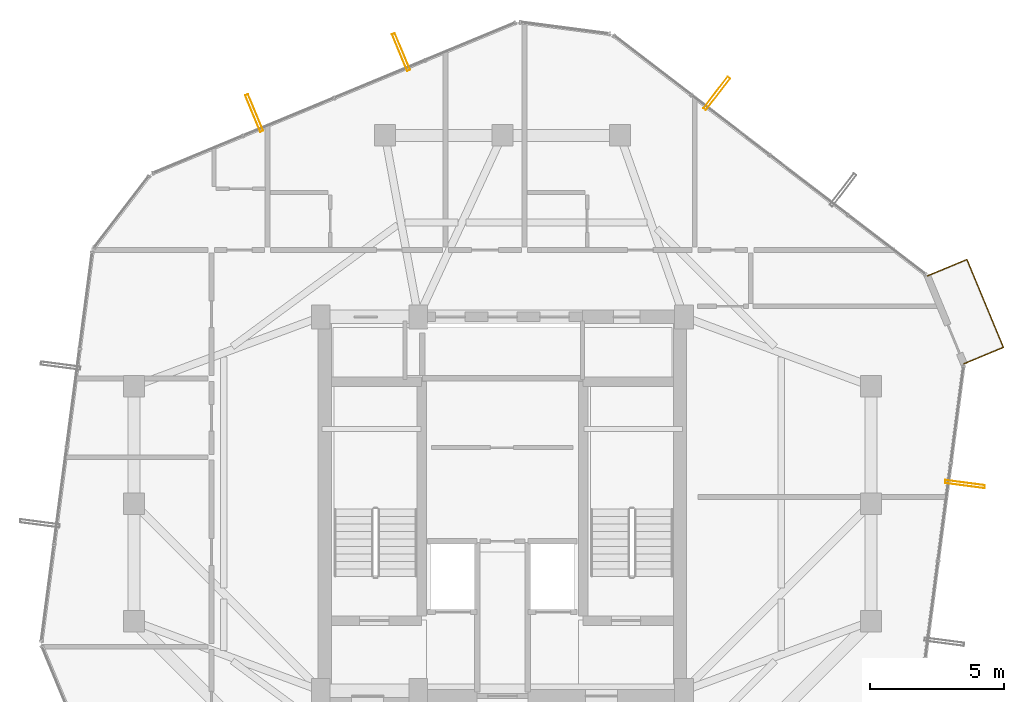
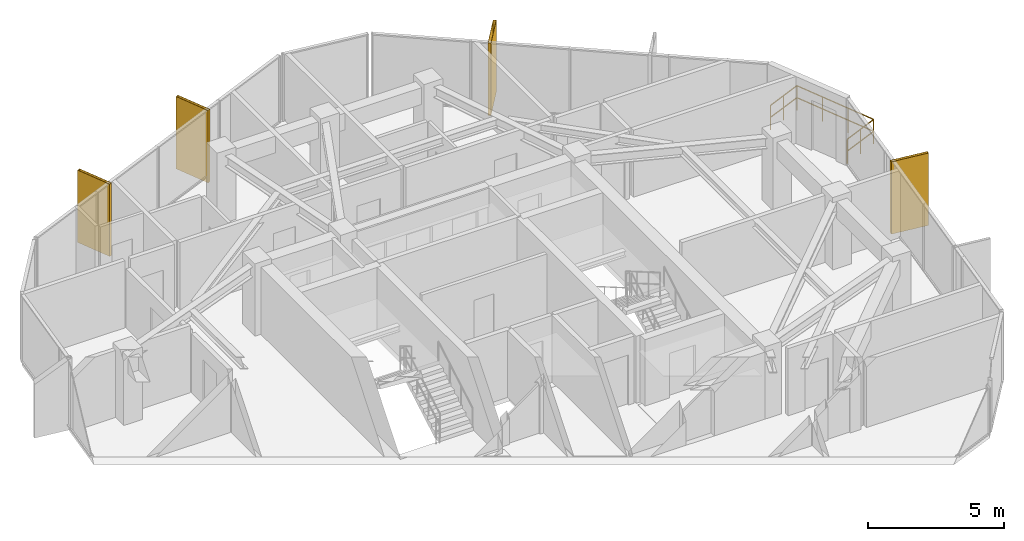
# One storey, part 31 of 31: 4 shading devices, 1 railing.
"""IFC4 building model written with IfcOpenShell, lengths in metres."""

from ifc_helpers import new_model, si_unit, direction, frame, origin, origin_2d, place, context, subcontext, project, spatial, hollow_rectangle, circle, extrude, material, material_profile, profile_set, type_object, element, save


model = new_model("IFC4")

# Units and contexts
model_context = context("Model", 3, precision=1e-05, world=origin(), true_north=direction((0.0, 1.0)))
body_context = subcontext(model_context, "Body", "Model", "MODEL_VIEW")
ifc_project = project(units=[si_unit("LENGTHUNIT", "METRE"), si_unit("AREAUNIT", "SQUARE_METRE"), si_unit("VOLUMEUNIT", "CUBIC_METRE"), si_unit("PLANEANGLEUNIT", "RADIAN"), si_unit("MASSUNIT", "GRAM", prefix="KILO")], contexts=[model_context])

# Site, building, storey
site_placement = place(None, origin())
site = spatial("IfcSite", under=ifc_project, at=site_placement, CompositionType="ELEMENT")
building_placement = place(site_placement, origin())
building = spatial("IfcBuilding", under=site, at=building_placement, Name="Veraguas Prism Commons", CompositionType="ELEMENT")
storey_placement = place(building_placement, frame((0.0, 0.0, 233.300048828125)))
storey = spatial("IfcBuildingStorey", under=building, at=storey_placement, Name="L66", CompositionType="ELEMENT", Elevation=233.300048828125)

# Shading devices
ifc_material_1 = material(Name="Anodised aluminium EN AW-6063 T6", Category="aluminium")
ifc_material_profile = material_profile(ifc_material_1, hollow_rectangle(XDim=0.1201171875, YDim=1.489990234375, WallThickness=0.006103515625, at=origin_2d()), Name="FIN120X1490X6")
ifc_profile_set = profile_set([ifc_material_profile], Name="Anodised aluminium EN AW-6063 T6")
shading_device_type = type_object("IfcShadingDeviceType", Name="Deep Pale-Metal Vertical Solar Fin 120x1490", PredefinedType="USERDEFINED", material=ifc_profile_set)
for number, where, z_axis, x_axis, name in (
    (1, (32.024658203125, 39.3681640625, -0.215087890625), (0.0, 0.0, 1.0), (-0.793779204094, 0.60820603018, 0.0), "Vertical Pale-Metal Solar Fin L66-F1B"),
    (2, (20.202880859375, 40.916015625, -0.215087890625), (0.0, 0.0, 1.0), (-0.923614151043, -0.383323492617, 0.0), "Vertical Pale-Metal Solar Fin L66-F2A"),
    (3, (14.703125, 38.633544921875, -0.215087890625), (0.0, 0.0, 1.0), (-0.923614151043, -0.383323492617, 0.0), "Vertical Pale-Metal Solar Fin L66-F2B"),
    (4, (41.321533203125, 24.734619140625, -0.215087890625), (0.0, 0.0, 1.0), (0.129837462492, 0.991535291018, 0.0), "Vertical Pale-Metal Solar Fin L66-F6B"),
):
    element("IfcShadingDevice", number, at=place(storey_placement, frame(where, z_axis=z_axis, x_axis=x_axis)), inside=storey, type_object=shading_device_type, Name=name, ObjectType="FIN", PredefinedType="USERDEFINED", context=body_context, shape_type="SweptSolid", body=[
        extrude(hollow_rectangle(XDim=0.1201171875, YDim=1.489990234375, WallThickness=0.006103515625, at=origin_2d()), origin(), (0.0, 0.0, 1.0), 3.25),
    ])

# Railing
ifc_material_2 = material(Name="Stainless steel AISI 316", Category="steel")
railing_type = type_object("IfcRailingType", Name="Loggia and Sky Pool Glazed Balustrade 1120", PredefinedType="BALUSTRADE", material=ifc_material_2)
railing_placement = place(storey_placement, frame((41.281494140625, 29.243896484375, 0.0)))
element("IfcRailing", 5, at=railing_placement, inside=storey, type_object=railing_type, Name="Recessed Corner Loggia L66-C1 Guard", PredefinedType="BALUSTRADE", context=body_context, shape_type="SweptSolid", body=[
    extrude(circle(Radius=0.02392578125, at=origin_2d()), frame((0.0, 0.0, 1.09619140625), z_axis=(0.923644657228, 0.383249980006, 0.0), x_axis=(-0.383249980006, 0.923644657228, 0.0)), (0.0, 0.0, 1.0), 1.60009765625),
    extrude(circle(Radius=0.02392578125, at=origin_2d()), frame((0.0, 0.0, 0.56005859375), z_axis=(0.923644657228, 0.383249980006, 0.0), x_axis=(-0.383249980006, 0.923644657228, 0.0)), (0.0, 0.0, 1.0), 1.60009765625),
    extrude(circle(Radius=0.02392578125, at=origin_2d()), frame((1.47802734375, 0.61328125, 1.09619140625), z_axis=(-0.383364435664, 0.923597157568, 0.0), x_axis=(-0.923597157568, -0.383364435664, 0.0)), (0.0, 0.0, 1.0), 3.5625),
    extrude(circle(Radius=0.02392578125, at=origin_2d()), frame((1.47802734375, 0.61328125, 0.56005859375), z_axis=(-0.383364435664, 0.923597157568, 0.0), x_axis=(-0.923597157568, -0.383364435664, 0.0)), (0.0, 0.0, 1.0), 3.5625),
    extrude(circle(Radius=0.02392578125, at=origin_2d()), frame((0.1123046875, 3.903564453125, 1.09619140625), z_axis=(-0.923622243268, -0.383303993902, 0.0), x_axis=(0.383303993902, -0.923622243268, 0.0)), (0.0, 0.0, 1.0), 1.60009765625),
    extrude(circle(Radius=0.02392578125, at=origin_2d()), frame((0.1123046875, 3.903564453125, 0.56005859375), z_axis=(-0.923622243268, -0.383303993902, 0.0), x_axis=(0.383303993902, -0.923622243268, 0.0)), (0.0, 0.0, 1.0), 1.60009765625),
    extrude(circle(Radius=0.02099609375, at=origin_2d()), origin(), (0.0, 0.0, 1.0), 1.072021484375),
    extrude(circle(Radius=0.02099609375, at=origin_2d()), frame((0.739013671875, 0.306640625, 0.0)), (0.0, 0.0, 1.0), 1.072021484375),
    extrude(circle(Radius=0.02099609375, at=origin_2d()), frame((1.47802734375, 0.61328125, 0.0)), (0.0, 0.0, 1.0), 1.072021484375),
    extrude(circle(Radius=0.02099609375, at=origin_2d()), frame((1.022705078125, 1.7099609375, 0.0)), (0.0, 0.0, 1.0), 1.072021484375),
    extrude(circle(Radius=0.02099609375, at=origin_2d()), frame((0.567626953125, 2.806884765625, 0.0)), (0.0, 0.0, 1.0), 1.072021484375),
    extrude(circle(Radius=0.02099609375, at=origin_2d()), frame((0.1123046875, 3.903564453125, 0.0)), (0.0, 0.0, 1.0), 1.072021484375),
    extrude(circle(Radius=0.02099609375, at=origin_2d()), frame((-0.62646484375, 3.596923828125, 0.0)), (0.0, 0.0, 1.0), 1.072021484375),
    extrude(circle(Radius=0.02099609375, at=origin_2d()), frame((-1.365478515625, 3.290283203125, 0.0)), (0.0, 0.0, 1.0), 1.072021484375),
])

save(model, "model.ifc")
